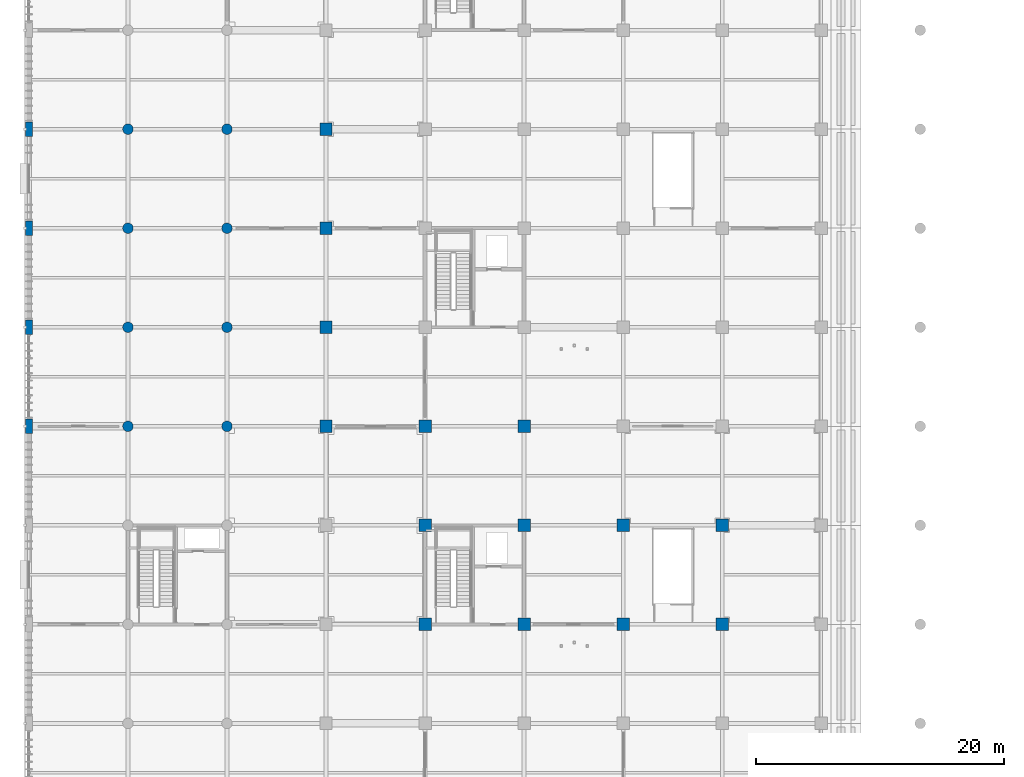
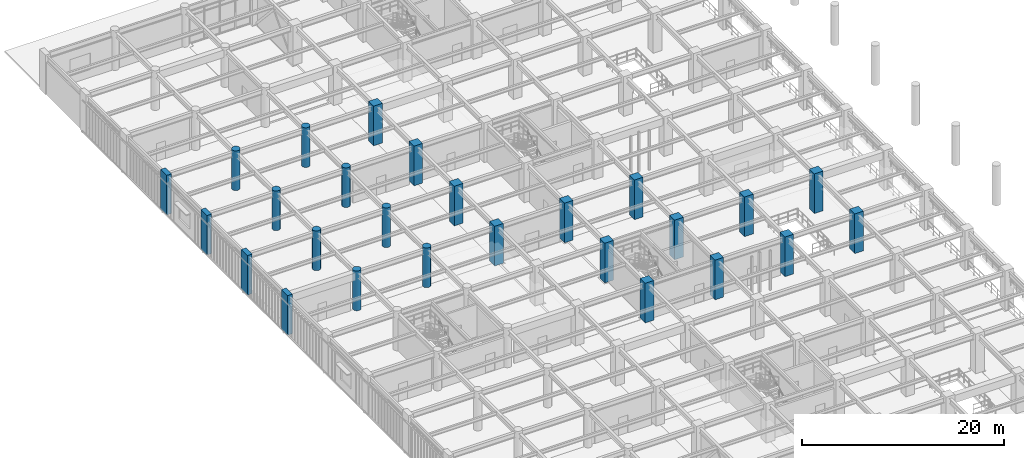
# One storey, part 3 of 117: 26 columns.
"""IFC4 building model written with IfcOpenShell, lengths in metres."""

from ifc_helpers import new_model, si_unit, direction, frame, origin, origin_2d, place, context, subcontext, project, spatial, rectangle, circle, extrude, material, material_profile, profile_set, type_object, element, save


model = new_model("IFC4")

# Units and contexts
model_context = context("Model", 3, precision=1e-05, world=origin(), true_north=direction((0.0, 1.0)))
body_context = subcontext(model_context, "Body", "Model", "MODEL_VIEW")
ifc_project = project(units=[si_unit("LENGTHUNIT", "METRE"), si_unit("AREAUNIT", "SQUARE_METRE"), si_unit("VOLUMEUNIT", "CUBIC_METRE"), si_unit("PLANEANGLEUNIT", "RADIAN"), si_unit("MASSUNIT", "GRAM", prefix="KILO")], contexts=[model_context])

# Site, building, storey
site_placement = place(None, origin())
site = spatial("IfcSite", under=ifc_project, at=site_placement, CompositionType="ELEMENT")
building_placement = place(site_placement, origin())
building = spatial("IfcBuilding", under=site, at=building_placement, Name="Haebicheon Civic Stadium", CompositionType="ELEMENT")
storey_placement = place(building_placement, frame((0.0, 0.0, 4.800048828125)))
storey = spatial("IfcBuildingStorey", under=building, at=storey_placement, Name="L02", CompositionType="ELEMENT", Elevation=4.800048828125)

# Columns
ifc_material_1 = material(Name="Concrete C40/50", Category="concrete")
ifc_material_profile_1 = material_profile(ifc_material_1, rectangle(XDim=1.0, YDim=1.0, at=origin_2d()), Name="RC-COL-1000x1000")
ifc_profile_set_1 = profile_set([ifc_material_profile_1], Name="Concrete C40/50")
column_type_1 = type_object("IfcColumnType", Name="COL-RC-1000", PredefinedType="COLUMN", material=ifc_profile_set_1)
for number, where, z_axis, x_axis, name in (
    (1, (24.0, 96.0, 0.0), (0.0, 0.0, 1.0), (1.0, 0.0, 0.0), "L02 column 4/N"),
    (2, (24.0, 104.0, 0.0), (0.0, 0.0, 1.0), (1.0, 0.0, 0.0), "L02 column 4/P"),
    (3, (24.0, 112.0, 0.0), (0.0, 0.0, 1.0), (1.0, 0.0, 0.0), "L02 column 4/Q"),
    (4, (24.0, 120.0, 0.0), (0.0, 0.0, 1.0), (1.0, 0.0, 0.0), "L02 column 4/R"),
    (5, (32.0, 80.0, 0.0), (0.0, 0.0, 1.0), (1.0, 0.0, 0.0), "L02 column 5/L"),
    (6, (32.0, 88.0, 0.0), (0.0, 0.0, 1.0), (1.0, 0.0, 0.0), "L02 column 5/M"),
    (7, (32.0, 96.0, 0.0), (0.0, 0.0, 1.0), (1.0, 0.0, 0.0), "L02 column 5/N"),
    (8, (40.0, 80.0, 0.0), (0.0, 0.0, 1.0), (1.0, 0.0, 0.0), "L02 column 6/L"),
    (9, (40.0, 88.0, 0.0), (0.0, 0.0, 1.0), (1.0, 0.0, 0.0), "L02 column 6/M"),
    (10, (40.0, 96.0, 0.0), (0.0, 0.0, 1.0), (1.0, 0.0, 0.0), "L02 column 6/N"),
    (11, (48.0, 80.0, 0.0), (0.0, 0.0, 1.0), (1.0, 0.0, 0.0), "L02 column 7/L"),
    (12, (48.0, 88.0, 0.0), (0.0, 0.0, 1.0), (1.0, 0.0, 0.0), "L02 column 7/M"),
    (13, (56.0, 80.0, 0.0), (0.0, 0.0, 1.0), (1.0, 0.0, 0.0), "L02 column 8/L"),
    (14, (56.0, 88.0, 0.0), (0.0, 0.0, 1.0), (1.0, 0.0, 0.0), "L02 column 8/M"),
):
    element("IfcColumn", number, at=place(storey_placement, frame(where, z_axis=z_axis, x_axis=x_axis)), inside=storey, type_object=column_type_1, material=ifc_profile_set_1, Name=name, PredefinedType="COLUMN", context=body_context, shape_type="SweptSolid", body=[
        extrude(rectangle(XDim=1.0, YDim=1.0, at=origin_2d()), origin(), (0.0, 0.0, 1.0), 4.800048828125),
    ])
ifc_material_2 = material(Name="Concrete C40/50", Category="concrete")
ifc_material_profile_2 = material_profile(ifc_material_2, circle(Radius=0.425048828125, at=origin_2d()), Name="RC-COL-D850")
ifc_profile_set_2 = profile_set([ifc_material_profile_2], Name="Concrete C40/50")
column_type_2 = type_object("IfcColumnType", Name="COL-RC-D850", PredefinedType="COLUMN", material=ifc_profile_set_2)
for number, where, z_axis, x_axis, name in (
    (15, (8.0, 96.0, 0.0), (0.0, 0.0, 1.0), (1.0, 0.0, 0.0), "L02 column 2/N"),
    (16, (8.0, 104.0, 0.0), (0.0, 0.0, 1.0), (1.0, 0.0, 0.0), "L02 column 2/P"),
    (17, (8.0, 112.0, 0.0), (0.0, 0.0, 1.0), (1.0, 0.0, 0.0), "L02 column 2/Q"),
    (18, (8.0, 120.0, 0.0), (0.0, 0.0, 1.0), (1.0, 0.0, 0.0), "L02 column 2/R"),
    (19, (16.0, 96.0, 0.0), (0.0, 0.0, 1.0), (1.0, 0.0, 0.0), "L02 column 3/N"),
    (20, (16.0, 104.0, 0.0), (0.0, 0.0, 1.0), (1.0, 0.0, 0.0), "L02 column 3/P"),
    (21, (16.0, 112.0, 0.0), (0.0, 0.0, 1.0), (1.0, 0.0, 0.0), "L02 column 3/Q"),
    (22, (16.0, 120.0, 0.0), (0.0, 0.0, 1.0), (1.0, 0.0, 0.0), "L02 column 3/R"),
):
    element("IfcColumn", number, at=place(storey_placement, frame(where, z_axis=z_axis, x_axis=x_axis)), inside=storey, type_object=column_type_2, material=ifc_profile_set_2, Name=name, PredefinedType="COLUMN", context=body_context, shape_type="SweptSolid", body=[
        extrude(circle(Radius=0.425048828125, at=origin_2d()), origin(), (0.0, 0.0, 1.0), 4.800048828125),
    ])
ifc_material_3 = material(Name="Concrete C40/50", Category="concrete")
ifc_material_profile_3 = material_profile(ifc_material_3, rectangle(XDim=0.550048828125, YDim=1.199951171875, at=origin_2d()), Name="RC-PIL-550x1200")
ifc_profile_set_3 = profile_set([ifc_material_profile_3], Name="Concrete C40/50")
column_type_3 = type_object("IfcColumnType", Name="PIL-RC-550x1200", PredefinedType="PILASTER", material=ifc_profile_set_3)
for number, where, z_axis, x_axis, name in (
    (23, (0.0, 96.0, 0.0), (0.0, 0.0, 1.0), (1.0, 0.0, 0.0), "L02 column 1/N"),
    (24, (0.0, 104.0, 0.0), (0.0, 0.0, 1.0), (1.0, 0.0, 0.0), "L02 column 1/P"),
    (25, (0.0, 112.0, 0.0), (0.0, 0.0, 1.0), (1.0, 0.0, 0.0), "L02 column 1/Q"),
    (26, (0.0, 120.0, 0.0), (0.0, 0.0, 1.0), (1.0, 0.0, 0.0), "L02 column 1/R"),
):
    element("IfcColumn", number, at=place(storey_placement, frame(where, z_axis=z_axis, x_axis=x_axis)), inside=storey, type_object=column_type_3, material=ifc_profile_set_3, Name=name, PredefinedType="PILASTER", context=body_context, shape_type="SweptSolid", body=[
        extrude(rectangle(XDim=0.550048828125, YDim=1.199951171875, at=origin_2d()), origin(), (0.0, 0.0, 1.0), 4.800048828125),
    ])

save(model, "model.ifc")
